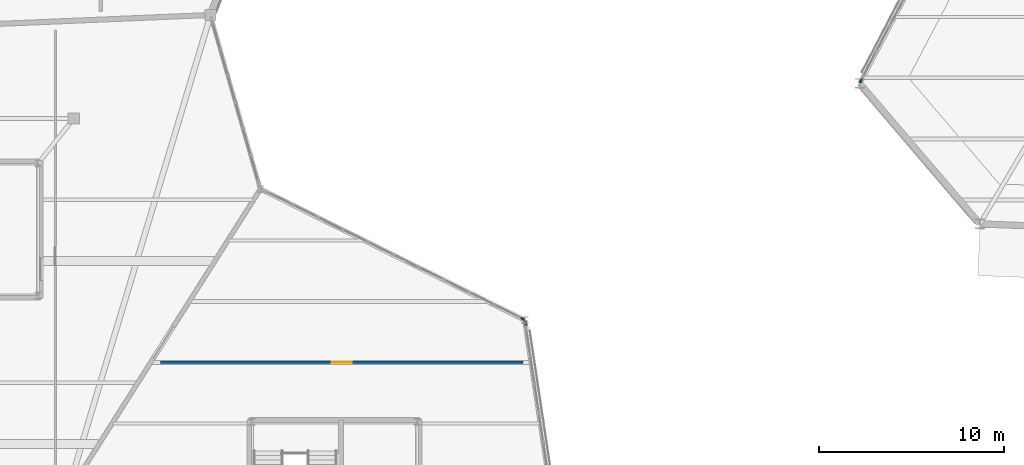
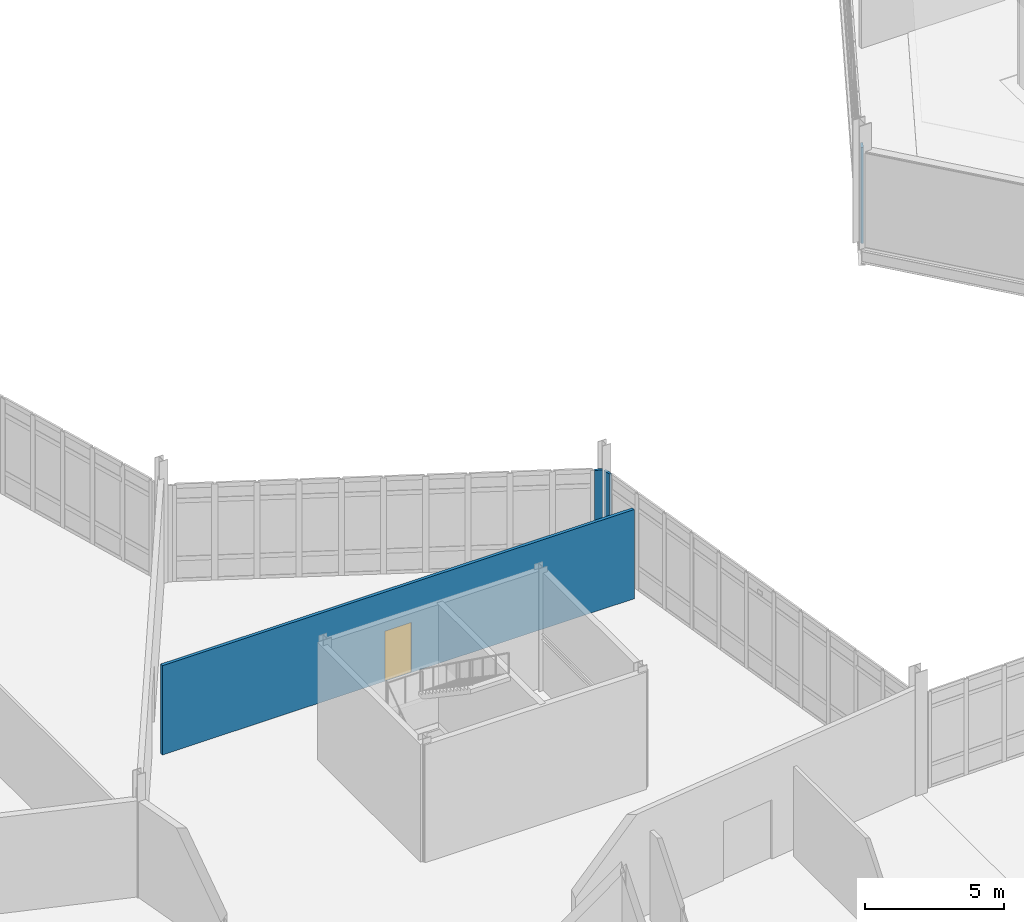
# One storey, part 95 of 113: 4 walls, 1 door, 1 opening.
"""IFC4 building model written with IfcOpenShell, lengths in metres."""

from ifc_helpers import new_model, si_unit, direction, frame, frame_2d, origin, place, context, subcontext, project, spatial, rectangle, extrude, material, layer, layer_set, type_object, element, fill, save


model = new_model("IFC4")

# Units and contexts
model_context = context("Model", 3, precision=1e-05, world=origin(), true_north=direction((0.0, 1.0)))
body_context = subcontext(model_context, "Body", "Model", "MODEL_VIEW")
ifc_project = project(units=[si_unit("LENGTHUNIT", "METRE"), si_unit("AREAUNIT", "SQUARE_METRE"), si_unit("VOLUMEUNIT", "CUBIC_METRE"), si_unit("PLANEANGLEUNIT", "RADIAN"), si_unit("MASSUNIT", "GRAM", prefix="KILO")], contexts=[model_context])

# Site, building, storey
site_placement = place(None, origin())
site = spatial("IfcSite", under=ifc_project, at=site_placement, CompositionType="ELEMENT")
building_placement = place(site_placement, origin())
building = spatial("IfcBuilding", under=site, at=building_placement, Name="Tameran Prism Museum", CompositionType="ELEMENT")
storey_placement = place(building_placement, origin())
storey = spatial("IfcBuildingStorey", under=building, at=storey_placement, Name="L00", CompositionType="ELEMENT", Elevation=0.0)

# Walls
ifc_material_1 = material(Name="Precast Concrete N40 (40 MPa)", Category="concrete")
ifc_layer_1 = layer(ifc_material_1, 0.094970703125)
ifc_layer_set_1 = layer_set([ifc_layer_1])
wall_type_1 = type_object("IfcWallType", Name="EW-CLOS-095", PredefinedType="SOLIDWALL", material=ifc_layer_set_1)
wall_1_placement = place(storey_placement, frame((92.9189453125, 78.93701171875, 0.0), z_axis=(0.0, 0.0, 1.0), x_axis=(0.464243799771, 0.885707454171, 0.0)))
element("IfcWall", 1, at=wall_1_placement, inside=storey, type_object=wall_type_1, Name="Facade Corner Closure EW-0066", PredefinedType="SOLIDWALL", context=body_context, shape_type="SweptSolid", body=[
    extrude(rectangle(XDim=0.30810546875, YDim=0.094970703125, at=frame_2d((0.154052734375, 0.0))), origin(), (0.0, 0.0, 1.0), 4.219970703125),
])
wall_2_placement = place(storey_placement, frame((74.805908203125, 66.05810546875, 0.0), z_axis=(0.0, 0.0, 1.0), x_axis=(0.14996991646, -0.988690560366, 0.0)))
element("IfcWall", 2, at=wall_2_placement, inside=storey, type_object=wall_type_1, Name="Facade Corner Closure EW-0100", PredefinedType="SOLIDWALL", context=body_context, shape_type="SweptSolid", body=[
    extrude(rectangle(XDim=0.3076171875, YDim=0.094970703125, at=frame_2d((0.15380859375, 0.0))), origin(), (0.0, 0.0, 1.0), 4.219970703125),
])
wall_3_placement = place(storey_placement, frame((74.487060546875, 66.256103515625, 0.0), z_axis=(0.0, 0.0, 1.0), x_axis=(0.894744814052, -0.446577784633, 0.0)))
element("IfcWall", 3, at=wall_3_placement, inside=storey, type_object=wall_type_1, Name="Facade Corner Closure EW-0103", PredefinedType="SOLIDWALL", context=body_context, shape_type="SweptSolid", body=[
    extrude(rectangle(XDim=0.30712890625, YDim=0.094970703125, at=frame_2d((0.153564453125, 0.0))), origin(), (0.0, 0.0, 1.0), 4.219970703125),
])

# Wall, opening, door
ifc_material_2 = material(Name="Wet-Area Fibre-Cement Stud Partition")
ifc_layer_2 = layer(ifc_material_2, 0.1298828125)
ifc_layer_set_2 = layer_set([ifc_layer_2])
wall_type_2 = type_object("IfcWallType", Name="IW-PRT-130", PredefinedType="PARTITIONING", material=ifc_layer_set_2)
wall_4_placement = place(storey_placement, frame((55.094970703125, 63.81298828125, 0.0), z_axis=(0.0, 0.0, 1.0), x_axis=(1.0, 0.0, 0.0)))
wall_4 = element("IfcWall", 4, at=wall_4_placement, inside=storey, type_object=wall_type_2, Name="Internal Partition PT-0061", PredefinedType="PARTITIONING", context=body_context, shape_type="SweptSolid", body=[
    extrude(rectangle(XDim=19.594970703125, YDim=0.1298828125, at=frame_2d((9.79736328125, 0.0))), origin(), (0.0, 0.0, 1.0), 3.919921875),
])
opening_placement = place(wall_4_placement, frame((9.2470703125, 0.0, 0.0)))
opening = element("IfcOpeningElement", 5, at=opening_placement, cuts=wall_4, Name="Opening ID-0060", PredefinedType="OPENING", context=body_context, shape_type="SweptSolid", body=[
    extrude(rectangle(XDim=1.10009765625, YDim=2.199951171875, at=frame_2d((0.550048828125, 1.10009765625))), frame((0.0, 0.074951171875, 0.0), z_axis=(0.0, -1.0, 0.0), x_axis=(1.0, 0.0, 0.0)), (0.0, 0.0, 1.0), 0.14990234375),
])
ifc_material_3 = material(Name="Fire-Rated Steel Door Leaf and Frame", Category="steel")
door_type = type_object("IfcDoorType", Name="DR-INT-110", OperationType="NOTDEFINED", PredefinedType="DOOR", material=ifc_material_3)
door_placement = place(opening_placement, origin())
door = element("IfcDoor", 6, at=door_placement, inside=storey, type_object=door_type, Name="Interior Room Door ID-0060", OperationType="SINGLE_SWING_LEFT", OverallHeight=2.199951171875, OverallWidth=1.10009765625, PredefinedType="DOOR", context=body_context, shape_type="SweptSolid", body=[
    extrude(rectangle(XDim=1.10009765625, YDim=2.199951171875, at=frame_2d((0.550048828125, 1.10009765625))), frame((0.0, 0.02490234375, 0.0), z_axis=(0.0, -1.0, 0.0), x_axis=(1.0, 0.0, 0.0)), (0.0, 0.0, 1.0), 0.050048828125),
])
fill(opening, door)

save(model, "model.ifc")
